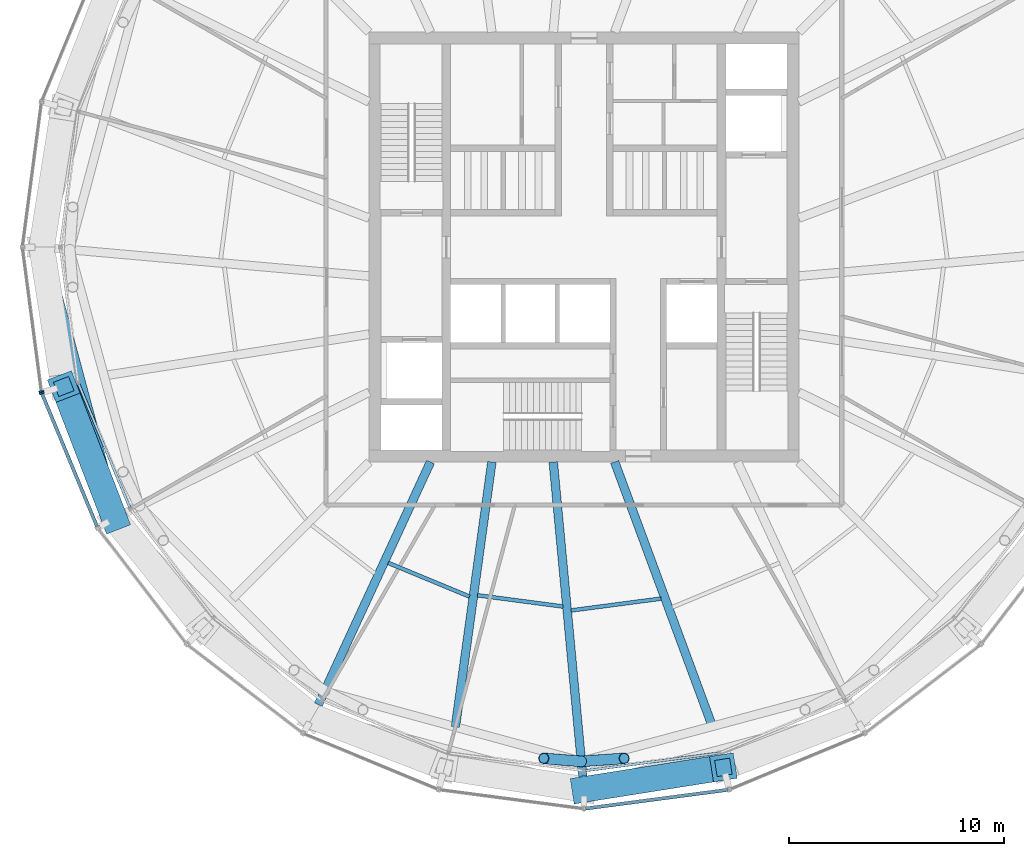
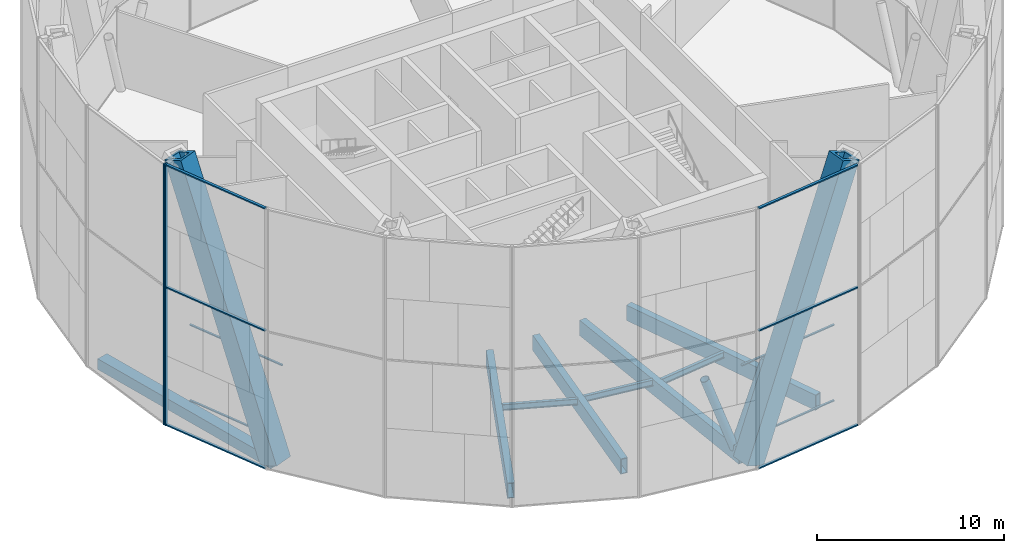
# One storey, part 2 of 17: 16 members, 8 beams, 5 elements without a shape of their own.
"""IFC4 building model written with IfcOpenShell, lengths in metres."""

from ifc_helpers import new_model, si_unit, direction, frame, origin, origin_2d, place, context, subcontext, project, spatial, rectangle, hollow_rectangle, hollow_circle, i_section, extrude, material, material_profile, profile_set, type_object, element, aggregate, save


model = new_model("IFC4")

# Units and contexts
model_context = context("Model", 3, precision=1e-05, world=origin(), true_north=direction((0.0, 1.0)))
body_context = subcontext(model_context, "Body", "Model", "MODEL_VIEW")
ifc_project = project(units=[si_unit("LENGTHUNIT", "METRE"), si_unit("AREAUNIT", "SQUARE_METRE"), si_unit("VOLUMEUNIT", "CUBIC_METRE"), si_unit("PLANEANGLEUNIT", "RADIAN"), si_unit("MASSUNIT", "GRAM", prefix="KILO")], contexts=[model_context])

# Site, building, storey
site_placement = place(None, origin())
site = spatial("IfcSite", under=ifc_project, at=site_placement, CompositionType="ELEMENT")
building_placement = place(site_placement, origin())
building = spatial("IfcBuilding", under=site, at=building_placement, Name="Golbaran Civic Tower", CompositionType="ELEMENT")
storey_placement = place(building_placement, frame((0.0, 0.0, 150.0)))
storey = spatial("IfcBuildingStorey", under=building, at=storey_placement, Name="L36", CompositionType="ELEMENT", Elevation=150.0)

# Members
ifc_material_1 = material(Name="Steel S355", Category="steel")
ifc_material_profile_1 = material_profile(ifc_material_1, hollow_circle(Radius=0.25390625, WallThickness=0.02490234375, at=origin_2d()), Name="CHS 508.0x25")
ifc_profile_set_1 = profile_set([ifc_material_profile_1], Name="Steel S355")
member_type_1 = type_object("IfcMemberType", Name="BELT TRUSS DIAGONAL CHS 508.0x25", PredefinedType="BRACE", material=ifc_profile_set_1)
member_1_placement = place(storey_placement, frame((-0.1220703125, -23.93115234375, -0.60009765625), z_axis=(0.37020841022, 0.0261163557, 0.928581535983), x_axis=(-0.070370124576, 0.997520949939, 0.0)))
element("IfcMember", 1, at=member_1_placement, inside=storey, type_object=member_type_1, Name="Belt truss diagonal 270.00R L36", PredefinedType="BRACE", context=body_context, shape_type="SweptSolid", body=[
    extrude(hollow_circle(Radius=0.25390625, WallThickness=0.02490234375, at=origin_2d()), origin(), (0.0, 0.0, 1.0), 5.384521484375),
])
member_2_placement = place(storey_placement, frame((-0.1220703125, -23.93115234375, -0.60009765625), z_axis=(-0.330110941114, 0.026537878867, 0.943569026379), x_axis=(-0.080132270994, -0.996784239013, 0.0)))
element("IfcMember", 2, at=member_2_placement, inside=storey, type_object=member_type_1, Name="Belt truss diagonal 270.00L L36", PredefinedType="BRACE", context=body_context, shape_type="SweptSolid", body=[
    extrude(hollow_circle(Radius=0.25390625, WallThickness=0.02490234375, at=origin_2d()), origin(), (0.0, 0.0, 1.0), 5.299072265625),
])
ifc_material_profile_2 = material_profile(ifc_material_1, hollow_rectangle(XDim=1.199951171875, YDim=1.199951171875, WallThickness=0.219970703125, at=origin_2d()), Name="BOX 1200x1200x220")
ifc_profile_set_2 = profile_set([ifc_material_profile_2], Name="Steel S355")
member_type_2 = type_object("IfcMemberType", Name="DIAGRID DIAGONAL BOX 1200x1200x220", PredefinedType="BRACE", material=ifc_profile_set_2)
for number, where, z_axis, x_axis, name in (
    (3, (-21.853271484375, -12.616943359375, -0.7099609375), (-0.129261656788, 0.336369669426, 0.932816632342), (-0.933449046665, -0.358710018371, 0.0), "Diagonal D08-07L L36-L40"),
    (4, (0.0, -25.23388671875, -0.7099609375), (0.35594104321, 0.056237881046, 0.932814705337), (-0.15606184074, 0.987747286438, 0.0), "Diagonal D08-09R L36-L40"),
):
    element("IfcMember", number, at=place(storey_placement, frame(where, z_axis=z_axis, x_axis=x_axis)), inside=storey, type_object=member_type_2, Name=name, PredefinedType="BRACE", context=body_context, shape_type="SweptSolid", body=[
        extrude(hollow_rectangle(XDim=1.199951171875, YDim=1.199951171875, WallThickness=0.219970703125, at=origin_2d()), origin(), (0.0, 0.0, 1.0), 18.224365234375),
    ])

# Beams
ifc_material_profile_3 = material_profile(ifc_material_1, hollow_rectangle(XDim=0.699951171875, YDim=0.699951171875, WallThickness=0.080078125, at=origin_2d()), Name="BOX 700x700x80")
ifc_profile_set_3 = profile_set([ifc_material_profile_3], Name="Steel S355")
beam_type_1 = type_object("IfcBeamType", Name="DIAGRID RING TIE BOX 700x700x80", PredefinedType="BEAM", material=ifc_profile_set_3)
beam_1_placement = place(storey_placement, frame((-25.23388671875, 0.0, -0.7099609375), z_axis=(0.258813005749, -0.965927444509, 0.0), x_axis=(0.965927444509, 0.258813005749, 0.0)))
element("IfcBeam", 5, at=beam_1_placement, inside=storey, type_object=beam_type_1, Name="Ring tie 180.00 L36", PredefinedType="BEAM", context=body_context, shape_type="SweptSolid", body=[
    extrude(hollow_rectangle(XDim=0.699951171875, YDim=0.699951171875, WallThickness=0.080078125, at=origin_2d()), origin(), (0.0, 0.0, 1.0), 13.06201171875),
])
ifc_material_profile_4 = material_profile(ifc_material_1, i_section(OverallWidth=0.179931640625, OverallDepth=0.39990234375, WebThickness=0.008544921875, FlangeThickness=0.013427734375, FilletRadius=0.02099609375, at=origin_2d()), Name="IPE 400")
ifc_profile_set_4 = profile_set([ifc_material_profile_4], Name="Steel S355")
beam_type_2 = type_object("IfcBeamType", Name="FLOOR INFILL BEAM IPE 400", PredefinedType="BEAM", material=ifc_profile_set_4)
beam_2_placement = place(storey_placement, frame((-9.1123046875, -14.69384765625, -0.39990234375), z_axis=(0.923884573814, -0.382671261358, 0.0), x_axis=(0.382671261358, 0.923884573814, 0.0)))
element("IfcBeam", 6, at=beam_2_placement, inside=storey, type_object=beam_type_2, Name="Infill beam 247.50 L36", PredefinedType="BEAM", context=body_context, shape_type="SweptSolid", body=[
    extrude(i_section(OverallWidth=0.179931640625, OverallDepth=0.39990234375, WebThickness=0.008544921875, FlangeThickness=0.013427734375, FilletRadius=0.02099609375, at=origin_2d()), origin(), (0.0, 0.0, 1.0), 4.0947265625),
])
beam_3_placement = place(storey_placement, frame((-4.957763671875, -16.200439453125, -0.39990234375), z_axis=(0.991442282273, -0.13054578094, 0.0), x_axis=(0.13054578094, 0.991442282273, 0.0)))
element("IfcBeam", 7, at=beam_3_placement, inside=storey, type_object=beam_type_2, Name="Infill beam 262.50 L36", PredefinedType="BEAM", context=body_context, shape_type="SweptSolid", body=[
    extrude(i_section(OverallWidth=0.179931640625, OverallDepth=0.39990234375, WebThickness=0.008544921875, FlangeThickness=0.013427734375, FilletRadius=0.02099609375, at=origin_2d()), origin(), (0.0, 0.0, 1.0), 4.013427734375),
])
beam_4_placement = place(storey_placement, frame((-0.60009765625, -16.907958984375, -0.39990234375), z_axis=(0.991441696394, 0.130550230374, 0.0), x_axis=(-0.130550230374, 0.991441696394, 0.0)))
element("IfcBeam", 8, at=beam_4_placement, inside=storey, type_object=beam_type_2, Name="Infill beam 277.50 L36", PredefinedType="BEAM", context=body_context, shape_type="SweptSolid", body=[
    extrude(i_section(OverallWidth=0.179931640625, OverallDepth=0.39990234375, WebThickness=0.008544921875, FlangeThickness=0.013427734375, FilletRadius=0.02099609375, at=origin_2d()), origin(), (0.0, 0.0, 1.0), 4.22265625),
])

# Curtain wall, member
ifc_material_2 = material(Name="Aluminium and glass", Category="aluminium")
curtain_wall_type_1 = type_object("IfcCurtainWallType", Name="OUTER SKIN TERRACOTTA SCREEN", PredefinedType="NOTDEFINED", material=ifc_material_2)
curtain_wall_1_placement = place(storey_placement, origin())
curtain_wall_1 = element("IfcCurtainWall", 9, at=curtain_wall_1_placement, inside=storey, type_object=curtain_wall_type_1, Name="Outer skin L36 facet 13 CW3", ObjectType="OUTER SKIN", PredefinedType="USERDEFINED")
ifc_material_3 = material(Name="Aluminium", Category="aluminium")
ifc_material_profile_5 = material_profile(ifc_material_3, rectangle(XDim=0.219970703125, YDim=0.080078125, at=origin_2d()), Name="OUTER SKIN TERRACOTTA SCREEN MULLION")
ifc_profile_set_5 = profile_set([ifc_material_profile_5], Name="Aluminium")
member_type_3 = type_object("IfcMemberType", Name="OUTER SKIN TERRACOTTA SCREEN MULLION", PredefinedType="MULLION", material=ifc_profile_set_5)
member_3_placement = place(storey_placement, frame((-25.248779296875, -6.724365234375, -0.7099609375), z_axis=(0.0, 0.0, 1.0), x_axis=(0.991444861369, 0.130526192255, 0.0)))
member_3 = element("IfcMember", 10, at=member_3_placement, type_object=member_type_3, Name="CW3 mullion 2", PredefinedType="MULLION", context=body_context, shape_type="SweptSolid", body=[
    extrude(rectangle(XDim=0.219970703125, YDim=0.080078125, at=origin_2d()), origin(), (0.0, 0.0, 1.0), 17.0),
])
aggregate(curtain_wall_1, [member_3])

# Curtain wall, members
curtain_wall_2_placement = place(storey_placement, origin())
curtain_wall_2 = element("IfcCurtainWall", 11, at=curtain_wall_2_placement, inside=storey, type_object=curtain_wall_type_1, Name="Outer skin L36 facet 14 CW3", ObjectType="OUTER SKIN", PredefinedType="USERDEFINED")
member_4_placement = place(storey_placement, frame((-25.228271484375, -6.801025390625, -0.7099609375), z_axis=(0.0, 0.0, 1.0), x_axis=(0.923879532545, 0.382683432284, 0.0)))
member_4 = element("IfcMember", 12, at=member_4_placement, type_object=member_type_3, Name="CW3 mullion 1", PredefinedType="MULLION", context=body_context, shape_type="SweptSolid", body=[
    extrude(rectangle(XDim=0.219970703125, YDim=0.080078125, at=origin_2d()), origin(), (0.0, 0.0, 1.0), 17.0),
])
ifc_material_profile_6 = material_profile(ifc_material_3, rectangle(XDim=0.159912109375, YDim=0.080078125, at=origin_2d()), Name="OUTER SKIN TERRACOTTA SCREEN TRANSOM")
ifc_profile_set_6 = profile_set([ifc_material_profile_6], Name="Aluminium")
member_type_4 = type_object("IfcMemberType", Name="OUTER SKIN TERRACOTTA SCREEN TRANSOM", PredefinedType="USERDEFINED", material=ifc_profile_set_6)
member_5_placement = place(storey_placement, frame((-25.212890625, -6.837890625, -0.669921875), z_axis=(0.382678667632, -0.923881506114, 0.0), x_axis=(0.923881506114, 0.382678667632, 0.0)))
member_5 = element("IfcMember", 13, at=member_5_placement, type_object=member_type_4, Name="CW3 transom 1.1", ObjectType="TRANSOM", PredefinedType="USERDEFINED", context=body_context, shape_type="SweptSolid", body=[
    extrude(rectangle(XDim=0.159912109375, YDim=0.080078125, at=origin_2d()), origin(), (0.0, 0.0, 1.0), 6.662353515625),
])
member_6_placement = place(storey_placement, frame((-25.212890625, -6.837890625, 8.2900390625), z_axis=(0.382678667632, -0.923881506114, 0.0), x_axis=(0.923881506114, 0.382678667632, 0.0)))
member_6 = element("IfcMember", 14, at=member_6_placement, type_object=member_type_4, Name="CW3 transom 1.2", ObjectType="TRANSOM", PredefinedType="USERDEFINED", context=body_context, shape_type="SweptSolid", body=[
    extrude(rectangle(XDim=0.159912109375, YDim=0.080078125, at=origin_2d()), origin(), (0.0, 0.0, 1.0), 6.662353515625),
])
member_7_placement = place(storey_placement, frame((-25.212890625, -6.837890625, 16.25), z_axis=(0.382678667632, -0.923881506114, 0.0), x_axis=(0.923881506114, 0.382678667632, 0.0)))
member_7 = element("IfcMember", 15, at=member_7_placement, type_object=member_type_4, Name="CW3 transom 1.3", ObjectType="TRANSOM", PredefinedType="USERDEFINED", context=body_context, shape_type="SweptSolid", body=[
    extrude(rectangle(XDim=0.159912109375, YDim=0.080078125, at=origin_2d()), origin(), (0.0, 0.0, 1.0), 6.662353515625),
])
aggregate(curtain_wall_2, [member_4, member_5, member_6, member_7])

curtain_wall_3_placement = place(storey_placement, origin())
curtain_wall_3 = element("IfcCurtainWall", 16, at=curtain_wall_3_placement, inside=storey, type_object=curtain_wall_type_1, Name="Outer skin L36 facet 19 CW3", ObjectType="OUTER SKIN", PredefinedType="USERDEFINED")
member_8_placement = place(storey_placement, frame((0.079345703125, -26.12353515625, -0.669921875), z_axis=(0.991444189485, 0.130531295618, 0.0), x_axis=(-0.130531295618, 0.991444189485, 0.0)))
member_8 = element("IfcMember", 17, at=member_8_placement, type_object=member_type_4, Name="CW3 transom 1.1", ObjectType="TRANSOM", PredefinedType="USERDEFINED", context=body_context, shape_type="SweptSolid", body=[
    extrude(rectangle(XDim=0.159912109375, YDim=0.080078125, at=origin_2d()), origin(), (0.0, 0.0, 1.0), 6.662109375),
])
member_9_placement = place(storey_placement, frame((0.079345703125, -26.12353515625, 8.2900390625), z_axis=(0.991444189485, 0.130531295618, 0.0), x_axis=(-0.130531295618, 0.991444189485, 0.0)))
member_9 = element("IfcMember", 18, at=member_9_placement, type_object=member_type_4, Name="CW3 transom 1.2", ObjectType="TRANSOM", PredefinedType="USERDEFINED", context=body_context, shape_type="SweptSolid", body=[
    extrude(rectangle(XDim=0.159912109375, YDim=0.080078125, at=origin_2d()), origin(), (0.0, 0.0, 1.0), 6.662109375),
])
member_10_placement = place(storey_placement, frame((0.079345703125, -26.12353515625, 16.25), z_axis=(0.991444189485, 0.130531295618, 0.0), x_axis=(-0.130531295618, 0.991444189485, 0.0)))
member_10 = element("IfcMember", 19, at=member_10_placement, type_object=member_type_4, Name="CW3 transom 1.3", ObjectType="TRANSOM", PredefinedType="USERDEFINED", context=body_context, shape_type="SweptSolid", body=[
    extrude(rectangle(XDim=0.159912109375, YDim=0.080078125, at=origin_2d()), origin(), (0.0, 0.0, 1.0), 6.662109375),
])
aggregate(curtain_wall_3, [member_8, member_9, member_10])

curtain_wall_type_2 = type_object("IfcCurtainWallType", Name="PLANT FLOOR LOUVRE WALL", PredefinedType="NOTDEFINED", material=ifc_material_2)
curtain_wall_4_placement = place(storey_placement, origin())
curtain_wall_4 = element("IfcCurtainWall", 20, at=curtain_wall_4_placement, inside=storey, type_object=curtain_wall_type_2, Name="Inner skin L36 facet 14 CW6", ObjectType="PLANT LOUVRE WALL", PredefinedType="USERDEFINED")
ifc_material_profile_7 = material_profile(ifc_material_3, rectangle(XDim=0.1201171875, YDim=0.070068359375, at=origin_2d()), Name="PLANT FLOOR LOUVRE WALL TRANSOM")
ifc_profile_set_7 = profile_set([ifc_material_profile_7], Name="Aluminium")
member_type_5 = type_object("IfcMemberType", Name="PLANT FLOOR LOUVRE WALL TRANSOM", PredefinedType="USERDEFINED", material=ifc_profile_set_7)
member_11_placement = place(storey_placement, frame((-23.512939453125, -6.3720703125, 0.034912109375), z_axis=(0.382694875785, -0.923874792408, 0.0), x_axis=(0.923874792408, 0.382694875785, 0.0)))
member_11 = element("IfcMember", 21, at=member_11_placement, type_object=member_type_5, Name="CW6 transom 1.1", ObjectType="TRANSOM", PredefinedType="USERDEFINED", context=body_context, shape_type="SweptSolid", body=[
    extrude(rectangle(XDim=0.1201171875, YDim=0.070068359375, at=origin_2d()), origin(), (0.0, 0.0, 1.0), 6.221923828125),
])
member_12_placement = place(storey_placement, frame((-23.512939453125, -6.3720703125, 4.965087890625), z_axis=(0.382694875785, -0.923874792408, 0.0), x_axis=(0.923874792408, 0.382694875785, 0.0)))
member_12 = element("IfcMember", 22, at=member_12_placement, type_object=member_type_5, Name="CW6 transom 1.2", ObjectType="TRANSOM", PredefinedType="USERDEFINED", context=body_context, shape_type="SweptSolid", body=[
    extrude(rectangle(XDim=0.1201171875, YDim=0.070068359375, at=origin_2d()), origin(), (0.0, 0.0, 1.0), 6.221923828125),
])
aggregate(curtain_wall_4, [member_11, member_12])

curtain_wall_5_placement = place(storey_placement, origin())
curtain_wall_5 = element("IfcCurtainWall", 23, at=curtain_wall_5_placement, inside=storey, type_object=curtain_wall_type_2, Name="Inner skin L36 facet 19 CW6", ObjectType="PLANT LOUVRE WALL", PredefinedType="USERDEFINED")
member_13_placement = place(storey_placement, frame((0.0693359375, -24.36083984375, 0.034912109375), z_axis=(0.991447215603, 0.130508308826, 0.0), x_axis=(-0.130508308826, 0.991447215603, 0.0)))
member_13 = element("IfcMember", 24, at=member_13_placement, type_object=member_type_5, Name="CW6 transom 1.1", ObjectType="TRANSOM", PredefinedType="USERDEFINED", context=body_context, shape_type="SweptSolid", body=[
    extrude(rectangle(XDim=0.1201171875, YDim=0.070068359375, at=origin_2d()), origin(), (0.0, 0.0, 1.0), 6.221923828125),
])
member_14_placement = place(storey_placement, frame((0.0693359375, -24.36083984375, 4.965087890625), z_axis=(0.991447215603, 0.130508308826, 0.0), x_axis=(-0.130508308826, 0.991447215603, 0.0)))
member_14 = element("IfcMember", 25, at=member_14_placement, type_object=member_type_5, Name="CW6 transom 1.2", ObjectType="TRANSOM", PredefinedType="USERDEFINED", context=body_context, shape_type="SweptSolid", body=[
    extrude(rectangle(XDim=0.1201171875, YDim=0.070068359375, at=origin_2d()), origin(), (0.0, 0.0, 1.0), 6.221923828125),
])
aggregate(curtain_wall_5, [member_13, member_14])

# Beams
ifc_material_profile_8 = material_profile(ifc_material_1, hollow_rectangle(XDim=0.39990234375, YDim=1.0, WallThickness=0.0400390625, at=origin_2d()), Name="BOX 1000x400x40")
ifc_profile_set_8 = profile_set([ifc_material_profile_8], Name="Steel S355")
beam_type_3 = type_object("IfcBeamType", Name="RADIAL FLOOR BEAM BOX 1000x400x40", PredefinedType="BEAM", material=ifc_profile_set_8)
beam_5_placement = place(storey_placement, frame((-7.142822265625, -10.0, -0.7099609375), z_axis=(-0.419266047451, -0.907863415638, 0.0), x_axis=(0.907863415638, -0.419266047451, 0.0)))
element("IfcBeam", 26, at=beam_5_placement, inside=storey, type_object=beam_type_3, Name="Radial beam 240.00 L36", PredefinedType="BEAM", context=body_context, shape_type="SweptSolid", body=[
    extrude(hollow_rectangle(XDim=0.39990234375, YDim=1.0, WallThickness=0.0400390625, at=origin_2d()), origin(), (0.0, 0.0, 1.0), 12.4375),
])
beam_6_placement = place(storey_placement, frame((-1.428466796875, -10.0, -0.7099609375), z_axis=(0.093355647487, -0.995632825434, 0.0), x_axis=(0.995632825434, 0.093355647487, 0.0)))
element("IfcBeam", 27, at=beam_6_placement, inside=storey, type_object=beam_type_3, Name="Radial beam 270.00 L36", PredefinedType="BEAM", context=body_context, shape_type="SweptSolid", body=[
    extrude(hollow_rectangle(XDim=0.39990234375, YDim=1.0, WallThickness=0.0400390625, at=origin_2d()), origin(), (0.0, 0.0, 1.0), 14.681640625),
])
ifc_material_profile_9 = material_profile(ifc_material_1, hollow_rectangle(XDim=0.39990234375, YDim=1.0, WallThickness=0.0400390625, at=origin_2d()), Name="BOX 1000x400x40")
ifc_profile_set_9 = profile_set([ifc_material_profile_9], Name="Steel S355")
beam_type_4 = type_object("IfcBeamType", Name="SECONDARY FLOOR BEAM BOX 1000x400x40", PredefinedType="BEAM", material=ifc_profile_set_9)
beam_7_placement = place(storey_placement, frame((-4.28564453125, -10.0, -0.7099609375), z_axis=(-0.136396427761, -0.990654336534, 0.0), x_axis=(0.990654336534, -0.136396427761, 0.0)))
element("IfcBeam", 28, at=beam_7_placement, inside=storey, type_object=beam_type_4, Name="Secondary beam 255.00 L36", PredefinedType="BEAM", context=body_context, shape_type="SweptSolid", body=[
    extrude(hollow_rectangle(XDim=0.39990234375, YDim=1.0, WallThickness=0.0400390625, at=origin_2d()), origin(), (0.0, 0.0, 1.0), 12.4453125),
])
beam_8_placement = place(storey_placement, frame((1.428466796875, -10.0, -0.7099609375), z_axis=(0.346730273092, -0.937964880857, 0.0), x_axis=(0.937964880857, 0.346730273092, 0.0)))
element("IfcBeam", 29, at=beam_8_placement, inside=storey, type_object=beam_type_4, Name="Secondary beam 285.00 L36", PredefinedType="BEAM", context=body_context, shape_type="SweptSolid", body=[
    extrude(hollow_rectangle(XDim=0.39990234375, YDim=1.0, WallThickness=0.0400390625, at=origin_2d()), origin(), (0.0, 0.0, 1.0), 13.111572265625),
])

save(model, "model.ifc")
